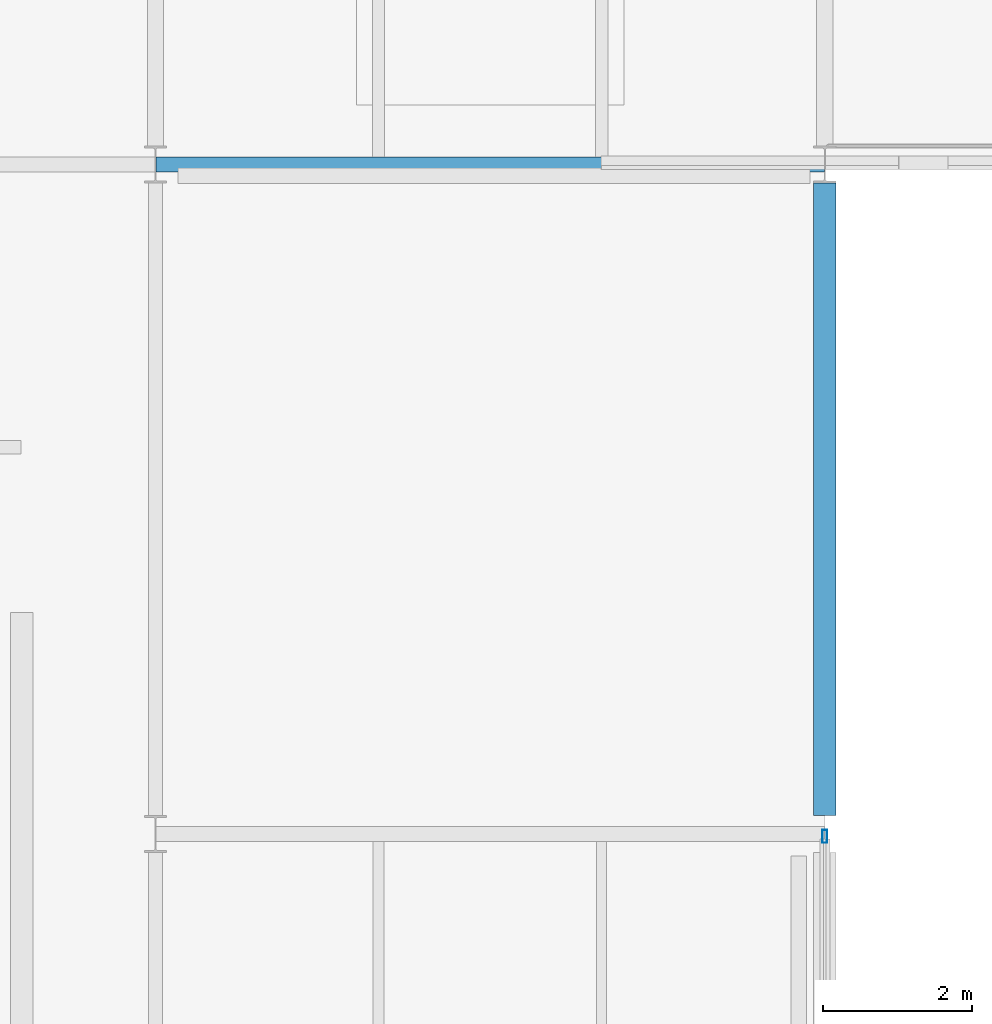
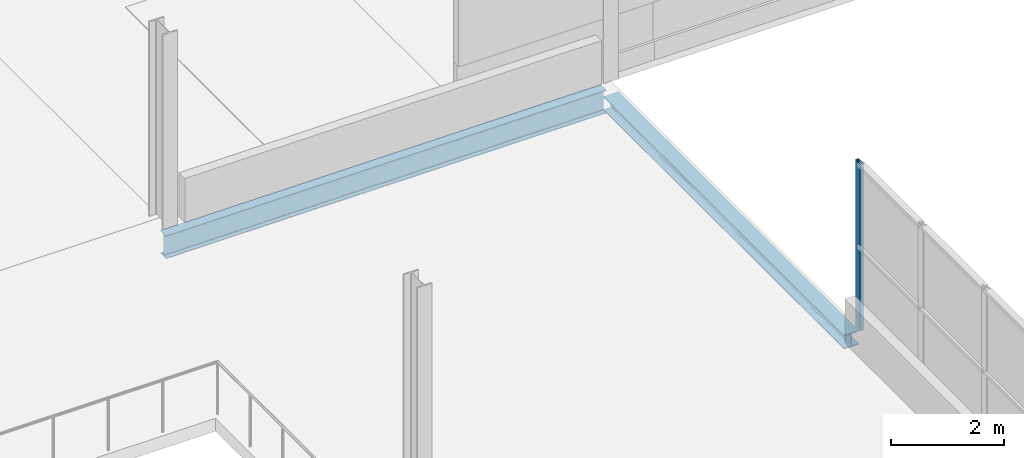
# One storey, part 33 of 88: 2 beams, 1 member, 1 element without a shape of its own.
"""IFC4 building model written with IfcOpenShell, lengths in metres."""

from ifc_helpers import new_model, si_unit, direction, frame, origin, origin_2d, place, context, subcontext, project, spatial, hollow_rectangle, i_section, extrude, material, layer, layer_set, material_profile, profile_set, type_object, element, aggregate, save


model = new_model("IFC4")

# Units and contexts
model_context = context("Model", 3, precision=1e-05, world=origin(), true_north=direction((0.0, 1.0)))
body_context = subcontext(model_context, "Body", "Model", "MODEL_VIEW")
ifc_project = project(units=[si_unit("LENGTHUNIT", "METRE"), si_unit("AREAUNIT", "SQUARE_METRE"), si_unit("VOLUMEUNIT", "CUBIC_METRE"), si_unit("PLANEANGLEUNIT", "RADIAN"), si_unit("MASSUNIT", "GRAM", prefix="KILO")], contexts=[model_context])

# Site, building, storey
site_placement = place(None, origin())
site = spatial("IfcSite", under=ifc_project, at=site_placement, CompositionType="ELEMENT")
building_placement = place(site_placement, origin())
building = spatial("IfcBuilding", under=site, at=building_placement, Name="Deido Ridge Mobility Hub", CompositionType="ELEMENT")
storey_placement = place(building_placement, frame((0.0, 0.0, 16.800048828125)))
storey = spatial("IfcBuildingStorey", under=building, at=storey_placement, Name="L04", CompositionType="ELEMENT", Elevation=16.800048828125)

# Beam
ifc_material_1 = material(Name="Steel S355J2 EN 10025-2", Category="steel")
ifc_material_profile_1 = material_profile(ifc_material_1, i_section(OverallWidth=0.199951171875, OverallDepth=0.5, WebThickness=0.01025390625, FlangeThickness=0.01611328125, FilletRadius=0.02099609375, at=origin_2d()), Name="IPE 500")
ifc_profile_set_1 = profile_set([ifc_material_profile_1], Name="Steel S355J2 EN 10025-2")
beam_type_1 = type_object("IfcBeamType", Name="BM-IPE500", PredefinedType="BEAM", material=ifc_profile_set_1)
beam_1_placement = place(storey_placement, frame((99.007080078125, 81.0, -0.525146484375), z_axis=(1.0, 0.0, 0.0), x_axis=(0.0, 1.0, 0.0)))
element("IfcBeam", 1, at=beam_1_placement, inside=storey, type_object=beam_type_1, Name="Floor beam B3", PredefinedType="BEAM", context=body_context, shape_type="SweptSolid", body=[
    extrude(i_section(OverallWidth=0.199951171875, OverallDepth=0.5, WebThickness=0.01025390625, FlangeThickness=0.01611328125, FilletRadius=0.02099609375, at=origin_2d()), origin(), (0.0, 0.0, 1.0), 8.98583984375),
])

# Curtain wall, member
ifc_material_2 = material(Name="Anodised aluminium EN AW-6063 T6", Category="aluminium")
ifc_layer = layer(ifc_material_2, 0.2099609375, Name="Anodised aluminium EN AW-6063 T6")
ifc_layer_set = layer_set([ifc_layer], Name="Anodised aluminium EN AW-6063 T6")
curtain_wall_type = type_object("IfcCurtainWallType", Name="CW-UF-4", PredefinedType="USERDEFINED", material=ifc_layer_set)
curtain_wall_placement = place(storey_placement, origin())
curtain_wall = element("IfcCurtainWall", 2, at=curtain_wall_placement, inside=storey, type_object=curtain_wall_type, Name="Unitised curtain wall CW4", ObjectType="UNITISED FACADE", PredefinedType="USERDEFINED")
ifc_material_profile_2 = material_profile(ifc_material_2, hollow_rectangle(XDim=0.06494140625, YDim=0.175048828125, WallThickness=0.00390625, at=origin_2d()), Name="RHS 65x175x4")
ifc_profile_set_2 = profile_set([ifc_material_profile_2], Name="Anodised aluminium EN AW-6063 T6")
member_type = type_object("IfcMemberType", Name="MEM-MUL-65X175", PredefinedType="MULLION", material=ifc_profile_set_2)
member_placement = place(storey_placement, frame((108.0, 71.967529296875, 0.0), z_axis=(0.0, 0.0, 1.0), x_axis=(-1.0, 0.0, 0.0)))
member = element("IfcMember", 3, at=member_placement, type_object=member_type, Name="CW4 mullion 5", PredefinedType="MULLION", context=body_context, shape_type="SweptSolid", body=[
    extrude(hollow_rectangle(XDim=0.06494140625, YDim=0.175048828125, WallThickness=0.00390625, at=origin_2d()), origin(), (0.0, 0.0, 1.0), 3.599853515625),
])
aggregate(curtain_wall, [member])

# Beam
ifc_material_profile_3 = material_profile(ifc_material_1, i_section(OverallWidth=0.300048828125, OverallDepth=0.300048828125, WebThickness=0.010986328125, FlangeThickness=0.01904296875, FilletRadius=0.027099609375, at=origin_2d()), Name="HEB 300")
ifc_profile_set_3 = profile_set([ifc_material_profile_3], Name="Steel S355J2 EN 10025-2")
beam_type_2 = type_object("IfcBeamType", Name="SPD-HEB300", PredefinedType="SPANDREL", material=ifc_profile_set_3)
beam_2_placement = place(storey_placement, frame((108.0, 72.25, -0.425048828125), z_axis=(0.0, 1.0, 0.0), x_axis=(-1.0, 0.0, 0.0)))
element("IfcBeam", 4, at=beam_2_placement, inside=storey, type_object=beam_type_2, Name="Floor beam SP1", PredefinedType="SPANDREL", context=body_context, shape_type="SweptSolid", body=[
    extrude(i_section(OverallWidth=0.300048828125, OverallDepth=0.300048828125, WebThickness=0.010986328125, FlangeThickness=0.01904296875, FilletRadius=0.027099609375, at=origin_2d()), origin(), (0.0, 0.0, 1.0), 8.5),
])

save(model, "model.ifc")
